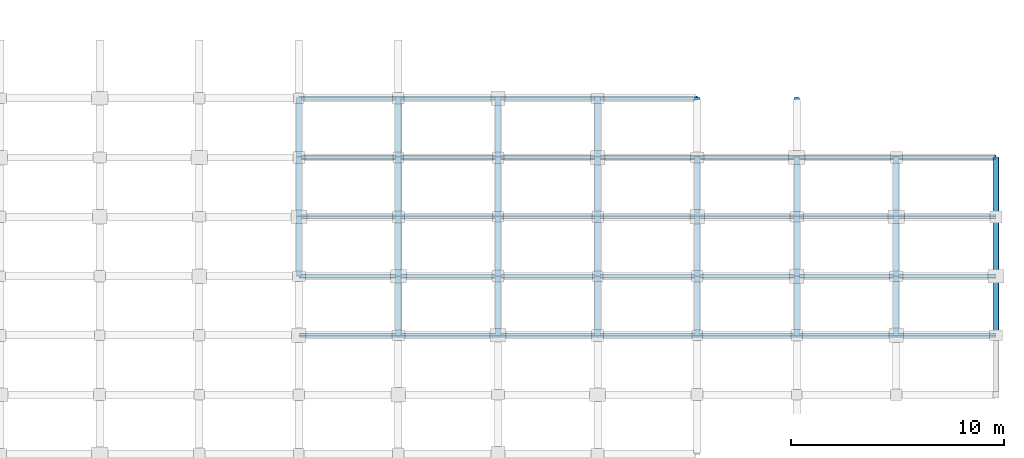
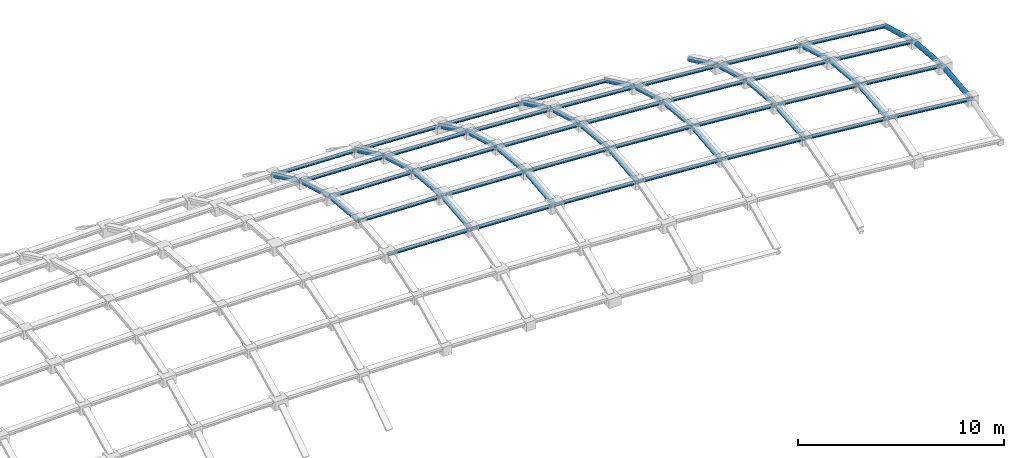
# One storey, part 19 of 36: 32 members, 29 beams.
"""IFC4 building model written with IfcOpenShell, lengths in metres."""

from ifc_helpers import new_model, si_unit, direction, frame, origin, origin_2d, place, context, subcontext, project, spatial, hollow_circle, extrude, material, material_profile, profile_set, type_object, element, save


model = new_model("IFC4")

# Units and contexts
model_context = context("Model", 3, precision=1e-05, world=origin(), true_north=direction((0.0, 1.0)))
body_context = subcontext(model_context, "Body", "Model", "MODEL_VIEW")
ifc_project = project(units=[si_unit("LENGTHUNIT", "METRE"), si_unit("AREAUNIT", "SQUARE_METRE"), si_unit("VOLUMEUNIT", "CUBIC_METRE"), si_unit("PLANEANGLEUNIT", "RADIAN"), si_unit("MASSUNIT", "GRAM", prefix="KILO")], contexts=[model_context])

# Site, building, storey
site_placement = place(None, origin())
site = spatial("IfcSite", under=ifc_project, at=site_placement, CompositionType="ELEMENT")
building_placement = place(site_placement, origin())
building = spatial("IfcBuilding", under=site, at=building_placement, Name="Quillay Park Conservatory", CompositionType="ELEMENT")
storey_placement = place(building_placement, frame((0.0, 0.0, 18.300048828125)))
storey = spatial("IfcBuildingStorey", under=building, at=storey_placement, Name="L04", CompositionType="ELEMENT", Elevation=18.300048828125)

# Beams
ifc_material_1 = material(Name="Steel S355J2H", Category="steel")
ifc_material_profile_1 = material_profile(ifc_material_1, hollow_circle(Radius=0.136474609375, WallThickness=0.012451171875, at=origin_2d()), Name="CHS273x12.5")
ifc_profile_set_1 = profile_set([ifc_material_profile_1], Name="Steel S355J2H")
beam_type = type_object("IfcBeamType", Name="GRIDSHELL ARCH BEAM CHS273", PredefinedType="USERDEFINED", material=ifc_profile_set_1)
beam_1_placement = place(storey_placement, frame((82.105712890625, 99.47509765625, 3.16357421875), z_axis=(0.0, 0.996118373088, -0.088023785401), x_axis=(-1.0, 0.0, 0.0)))
element("IfcBeam", 1, at=beam_1_placement, inside=storey, type_object=beam_type, Name="Gridshell member GS-ARCH-11-05", ObjectType="GRIDSHELL ARCH BEAM", PredefinedType="USERDEFINED", context=body_context, shape_type="SweptSolid", body=[
    extrude(hollow_circle(Radius=0.136474609375, WallThickness=0.012451171875, at=origin_2d()), origin(), (0.0, 0.0, 1.0), 2.795654296875),
])
beam_2_placement = place(storey_placement, frame((82.105712890625, 102.260009765625, 2.91748046875), z_axis=(0.0, 0.962831532331, -0.2701026478), x_axis=(-1.0, 0.0, 0.0)))
element("IfcBeam", 2, at=beam_2_placement, inside=storey, type_object=beam_type, Name="Gridshell member GS-ARCH-11-06", ObjectType="GRIDSHELL ARCH BEAM", PredefinedType="USERDEFINED", context=body_context, shape_type="SweptSolid", body=[
    extrude(hollow_circle(Radius=0.136474609375, WallThickness=0.012451171875, at=origin_2d()), origin(), (0.0, 0.0, 1.0), 2.892333984375),
])
beam_3_placement = place(storey_placement, frame((82.105712890625, 105.044921875, 2.13623046875), z_axis=(0.0, 0.903117900184, -0.429392662219), x_axis=(-1.0, 0.0, 0.0)))
element("IfcBeam", 3, at=beam_3_placement, inside=storey, type_object=beam_type, Name="Gridshell member GS-ARCH-11-07", ObjectType="GRIDSHELL ARCH BEAM", PredefinedType="USERDEFINED", context=body_context, shape_type="SweptSolid", body=[
    extrude(hollow_circle(Radius=0.136474609375, WallThickness=0.012451171875, at=origin_2d()), origin(), (0.0, 0.0, 1.0), 3.083984375),
])
beam_4_placement = place(storey_placement, frame((86.783203125, 96.68994140625, 2.72216796875), z_axis=(0.0, 0.99451309317, 0.104612176701), x_axis=(-1.0, 0.0, 0.0)))
element("IfcBeam", 4, at=beam_4_placement, inside=storey, type_object=beam_type, Name="Gridshell member GS-ARCH-12-04", ObjectType="GRIDSHELL ARCH BEAM", PredefinedType="USERDEFINED", context=body_context, shape_type="SweptSolid", body=[
    extrude(hollow_circle(Radius=0.136474609375, WallThickness=0.012451171875, at=origin_2d()), origin(), (0.0, 0.0, 1.0), 2.800537109375),
])
beam_5_placement = place(storey_placement, frame((86.783203125, 99.47509765625, 3.01513671875), z_axis=(0.0, 0.996118373088, -0.088023785401), x_axis=(-1.0, 0.0, 0.0)))
element("IfcBeam", 5, at=beam_5_placement, inside=storey, type_object=beam_type, Name="Gridshell member GS-ARCH-12-05", ObjectType="GRIDSHELL ARCH BEAM", PredefinedType="USERDEFINED", context=body_context, shape_type="SweptSolid", body=[
    extrude(hollow_circle(Radius=0.136474609375, WallThickness=0.012451171875, at=origin_2d()), origin(), (0.0, 0.0, 1.0), 2.795654296875),
])
beam_6_placement = place(storey_placement, frame((86.783203125, 102.260009765625, 2.76904296875), z_axis=(0.0, 0.962831532331, -0.2701026478), x_axis=(-1.0, 0.0, 0.0)))
element("IfcBeam", 6, at=beam_6_placement, inside=storey, type_object=beam_type, Name="Gridshell member GS-ARCH-12-06", ObjectType="GRIDSHELL ARCH BEAM", PredefinedType="USERDEFINED", context=body_context, shape_type="SweptSolid", body=[
    extrude(hollow_circle(Radius=0.136474609375, WallThickness=0.012451171875, at=origin_2d()), origin(), (0.0, 0.0, 1.0), 2.892333984375),
])
beam_7_placement = place(storey_placement, frame((86.783203125, 105.044921875, 1.98779296875), z_axis=(0.0, 0.903117900184, -0.429392662219), x_axis=(-1.0, 0.0, 0.0)))
element("IfcBeam", 7, at=beam_7_placement, inside=storey, type_object=beam_type, Name="Gridshell member GS-ARCH-12-07", ObjectType="GRIDSHELL ARCH BEAM", PredefinedType="USERDEFINED", context=body_context, shape_type="SweptSolid", body=[
    extrude(hollow_circle(Radius=0.136474609375, WallThickness=0.012451171875, at=origin_2d()), origin(), (0.0, 0.0, 1.0), 3.083984375),
])
beam_8_placement = place(storey_placement, frame((91.461181640625, 96.68994140625, 2.51904296875), z_axis=(0.0, 0.99451309317, 0.104612176701), x_axis=(-1.0, 0.0, 0.0)))
element("IfcBeam", 8, at=beam_8_placement, inside=storey, type_object=beam_type, Name="Gridshell member GS-ARCH-13-04", ObjectType="GRIDSHELL ARCH BEAM", PredefinedType="USERDEFINED", context=body_context, shape_type="SweptSolid", body=[
    extrude(hollow_circle(Radius=0.136474609375, WallThickness=0.012451171875, at=origin_2d()), origin(), (0.0, 0.0, 1.0), 2.800537109375),
])
beam_9_placement = place(storey_placement, frame((91.461181640625, 99.47509765625, 2.81201171875), z_axis=(0.0, 0.996118373088, -0.088023785401), x_axis=(-1.0, 0.0, 0.0)))
element("IfcBeam", 9, at=beam_9_placement, inside=storey, type_object=beam_type, Name="Gridshell member GS-ARCH-13-05", ObjectType="GRIDSHELL ARCH BEAM", PredefinedType="USERDEFINED", context=body_context, shape_type="SweptSolid", body=[
    extrude(hollow_circle(Radius=0.136474609375, WallThickness=0.012451171875, at=origin_2d()), origin(), (0.0, 0.0, 1.0), 2.795654296875),
])
beam_10_placement = place(storey_placement, frame((91.461181640625, 102.260009765625, 2.56591796875), z_axis=(0.0, 0.962831532331, -0.2701026478), x_axis=(-1.0, 0.0, 0.0)))
element("IfcBeam", 10, at=beam_10_placement, inside=storey, type_object=beam_type, Name="Gridshell member GS-ARCH-13-06", ObjectType="GRIDSHELL ARCH BEAM", PredefinedType="USERDEFINED", context=body_context, shape_type="SweptSolid", body=[
    extrude(hollow_circle(Radius=0.136474609375, WallThickness=0.012451171875, at=origin_2d()), origin(), (0.0, 0.0, 1.0), 2.892333984375),
])
beam_11_placement = place(storey_placement, frame((91.461181640625, 105.044921875, 1.78466796875), z_axis=(0.0, 0.903117900184, -0.429392662219), x_axis=(-1.0, 0.0, 0.0)))
element("IfcBeam", 11, at=beam_11_placement, inside=storey, type_object=beam_type, Name="Gridshell member GS-ARCH-13-07", ObjectType="GRIDSHELL ARCH BEAM", PredefinedType="USERDEFINED", context=body_context, shape_type="SweptSolid", body=[
    extrude(hollow_circle(Radius=0.136474609375, WallThickness=0.012451171875, at=origin_2d()), origin(), (0.0, 0.0, 1.0), 3.083984375),
])
beam_12_placement = place(storey_placement, frame((96.138916015625, 96.68994140625, 2.25732421875), z_axis=(0.0, 0.99451309317, 0.104612176701), x_axis=(-1.0, 0.0, 0.0)))
element("IfcBeam", 12, at=beam_12_placement, inside=storey, type_object=beam_type, Name="Gridshell member GS-ARCH-14-04", ObjectType="GRIDSHELL ARCH BEAM", PredefinedType="USERDEFINED", context=body_context, shape_type="SweptSolid", body=[
    extrude(hollow_circle(Radius=0.136474609375, WallThickness=0.012451171875, at=origin_2d()), origin(), (0.0, 0.0, 1.0), 2.800537109375),
])
beam_13_placement = place(storey_placement, frame((96.138916015625, 99.47509765625, 2.55029296875), z_axis=(0.0, 0.996118373088, -0.088023785401), x_axis=(-1.0, 0.0, 0.0)))
element("IfcBeam", 13, at=beam_13_placement, inside=storey, type_object=beam_type, Name="Gridshell member GS-ARCH-14-05", ObjectType="GRIDSHELL ARCH BEAM", PredefinedType="USERDEFINED", context=body_context, shape_type="SweptSolid", body=[
    extrude(hollow_circle(Radius=0.136474609375, WallThickness=0.012451171875, at=origin_2d()), origin(), (0.0, 0.0, 1.0), 2.795654296875),
])
beam_14_placement = place(storey_placement, frame((96.138916015625, 102.260009765625, 2.30419921875), z_axis=(0.0, 0.962831532331, -0.2701026478), x_axis=(-1.0, 0.0, 0.0)))
element("IfcBeam", 14, at=beam_14_placement, inside=storey, type_object=beam_type, Name="Gridshell member GS-ARCH-14-06", ObjectType="GRIDSHELL ARCH BEAM", PredefinedType="USERDEFINED", context=body_context, shape_type="SweptSolid", body=[
    extrude(hollow_circle(Radius=0.136474609375, WallThickness=0.012451171875, at=origin_2d()), origin(), (0.0, 0.0, 1.0), 2.892333984375),
])
beam_15_placement = place(storey_placement, frame((96.138916015625, 105.044921875, 1.52294921875), z_axis=(0.0, 0.903117900184, -0.429392662219), x_axis=(-1.0, 0.0, 0.0)))
element("IfcBeam", 15, at=beam_15_placement, inside=storey, type_object=beam_type, Name="Gridshell member GS-ARCH-14-07", ObjectType="GRIDSHELL ARCH BEAM", PredefinedType="USERDEFINED", context=body_context, shape_type="SweptSolid", body=[
    extrude(hollow_circle(Radius=0.136474609375, WallThickness=0.012451171875, at=origin_2d()), origin(), (0.0, 0.0, 1.0), 3.083984375),
])
beam_16_placement = place(storey_placement, frame((100.816650390625, 96.68994140625, 1.93701171875), z_axis=(0.0, 0.99451309317, 0.104612176701), x_axis=(-1.0, 0.0, 0.0)))
element("IfcBeam", 16, at=beam_16_placement, inside=storey, type_object=beam_type, Name="Gridshell member GS-ARCH-15-04", ObjectType="GRIDSHELL ARCH BEAM", PredefinedType="USERDEFINED", context=body_context, shape_type="SweptSolid", body=[
    extrude(hollow_circle(Radius=0.136474609375, WallThickness=0.012451171875, at=origin_2d()), origin(), (0.0, 0.0, 1.0), 2.800537109375),
])
beam_17_placement = place(storey_placement, frame((100.816650390625, 99.47509765625, 2.22998046875), z_axis=(0.0, 0.996118373088, -0.088023785401), x_axis=(-1.0, 0.0, 0.0)))
element("IfcBeam", 17, at=beam_17_placement, inside=storey, type_object=beam_type, Name="Gridshell member GS-ARCH-15-05", ObjectType="GRIDSHELL ARCH BEAM", PredefinedType="USERDEFINED", context=body_context, shape_type="SweptSolid", body=[
    extrude(hollow_circle(Radius=0.136474609375, WallThickness=0.012451171875, at=origin_2d()), origin(), (0.0, 0.0, 1.0), 2.795654296875),
])
beam_18_placement = place(storey_placement, frame((100.816650390625, 102.260009765625, 1.98388671875), z_axis=(0.0, 0.962831532331, -0.2701026478), x_axis=(-1.0, 0.0, 0.0)))
element("IfcBeam", 18, at=beam_18_placement, inside=storey, type_object=beam_type, Name="Gridshell member GS-ARCH-15-06", ObjectType="GRIDSHELL ARCH BEAM", PredefinedType="USERDEFINED", context=body_context, shape_type="SweptSolid", body=[
    extrude(hollow_circle(Radius=0.136474609375, WallThickness=0.012451171875, at=origin_2d()), origin(), (0.0, 0.0, 1.0), 2.892333984375),
])
beam_19_placement = place(storey_placement, frame((100.816650390625, 105.044921875, 1.20263671875), z_axis=(0.0, 0.903117900184, -0.429392662219), x_axis=(-1.0, 0.0, 0.0)))
element("IfcBeam", 19, at=beam_19_placement, inside=storey, type_object=beam_type, Name="Gridshell member GS-ARCH-15-07", ObjectType="GRIDSHELL ARCH BEAM", PredefinedType="USERDEFINED", context=body_context, shape_type="SweptSolid", body=[
    extrude(hollow_circle(Radius=0.136474609375, WallThickness=0.012451171875, at=origin_2d()), origin(), (0.0, 0.0, 1.0), 3.083984375),
])
beam_20_placement = place(storey_placement, frame((105.494384765625, 96.68994140625, 1.55810546875), z_axis=(0.0, 0.99451309317, 0.104612176701), x_axis=(-1.0, 0.0, 0.0)))
element("IfcBeam", 20, at=beam_20_placement, inside=storey, type_object=beam_type, Name="Gridshell member GS-ARCH-16-04", ObjectType="GRIDSHELL ARCH BEAM", PredefinedType="USERDEFINED", context=body_context, shape_type="SweptSolid", body=[
    extrude(hollow_circle(Radius=0.136474609375, WallThickness=0.012451171875, at=origin_2d()), origin(), (0.0, 0.0, 1.0), 2.800537109375),
])
beam_21_placement = place(storey_placement, frame((105.494384765625, 99.47509765625, 1.85107421875), z_axis=(0.0, 0.996118373088, -0.088023785401), x_axis=(-1.0, 0.0, 0.0)))
element("IfcBeam", 21, at=beam_21_placement, inside=storey, type_object=beam_type, Name="Gridshell member GS-ARCH-16-05", ObjectType="GRIDSHELL ARCH BEAM", PredefinedType="USERDEFINED", context=body_context, shape_type="SweptSolid", body=[
    extrude(hollow_circle(Radius=0.136474609375, WallThickness=0.012451171875, at=origin_2d()), origin(), (0.0, 0.0, 1.0), 2.795654296875),
])
beam_22_placement = place(storey_placement, frame((105.494384765625, 102.260009765625, 1.60498046875), z_axis=(0.0, 0.962831532331, -0.2701026478), x_axis=(-1.0, 0.0, 0.0)))
element("IfcBeam", 22, at=beam_22_placement, inside=storey, type_object=beam_type, Name="Gridshell member GS-ARCH-16-06", ObjectType="GRIDSHELL ARCH BEAM", PredefinedType="USERDEFINED", context=body_context, shape_type="SweptSolid", body=[
    extrude(hollow_circle(Radius=0.136474609375, WallThickness=0.012451171875, at=origin_2d()), origin(), (0.0, 0.0, 1.0), 2.892333984375),
])
beam_23_placement = place(storey_placement, frame((105.494384765625, 105.044921875, 0.82373046875), z_axis=(0.0, 0.903117900184, -0.429392662219), x_axis=(-1.0, 0.0, 0.0)))
element("IfcBeam", 23, at=beam_23_placement, inside=storey, type_object=beam_type, Name="Gridshell member GS-ARCH-16-07", ObjectType="GRIDSHELL ARCH BEAM", PredefinedType="USERDEFINED", context=body_context, shape_type="SweptSolid", body=[
    extrude(hollow_circle(Radius=0.136474609375, WallThickness=0.012451171875, at=origin_2d()), origin(), (0.0, 0.0, 1.0), 3.083984375),
])
beam_24_placement = place(storey_placement, frame((110.172119140625, 96.68994140625, 1.12060546875), z_axis=(0.0, 0.99451309317, 0.104612176701), x_axis=(-1.0, 0.0, 0.0)))
element("IfcBeam", 24, at=beam_24_placement, inside=storey, type_object=beam_type, Name="Gridshell member GS-ARCH-17-04", ObjectType="GRIDSHELL ARCH BEAM", PredefinedType="USERDEFINED", context=body_context, shape_type="SweptSolid", body=[
    extrude(hollow_circle(Radius=0.136474609375, WallThickness=0.012451171875, at=origin_2d()), origin(), (0.0, 0.0, 1.0), 2.800537109375),
])
beam_25_placement = place(storey_placement, frame((110.172119140625, 99.47509765625, 1.41357421875), z_axis=(0.0, 0.996118373088, -0.088023785401), x_axis=(-1.0, 0.0, 0.0)))
element("IfcBeam", 25, at=beam_25_placement, inside=storey, type_object=beam_type, Name="Gridshell member GS-ARCH-17-05", ObjectType="GRIDSHELL ARCH BEAM", PredefinedType="USERDEFINED", context=body_context, shape_type="SweptSolid", body=[
    extrude(hollow_circle(Radius=0.136474609375, WallThickness=0.012451171875, at=origin_2d()), origin(), (0.0, 0.0, 1.0), 2.795654296875),
])
beam_26_placement = place(storey_placement, frame((110.172119140625, 102.260009765625, 1.16748046875), z_axis=(0.0, 0.962831532331, -0.2701026478), x_axis=(-1.0, 0.0, 0.0)))
element("IfcBeam", 26, at=beam_26_placement, inside=storey, type_object=beam_type, Name="Gridshell member GS-ARCH-17-06", ObjectType="GRIDSHELL ARCH BEAM", PredefinedType="USERDEFINED", context=body_context, shape_type="SweptSolid", body=[
    extrude(hollow_circle(Radius=0.136474609375, WallThickness=0.012451171875, at=origin_2d()), origin(), (0.0, 0.0, 1.0), 2.892333984375),
])
beam_27_placement = place(storey_placement, frame((114.85009765625, 96.68994140625, 0.62451171875), z_axis=(0.0, 0.99451309317, 0.104612176701), x_axis=(-1.0, 0.0, 0.0)))
element("IfcBeam", 27, at=beam_27_placement, inside=storey, type_object=beam_type, Name="Gridshell member GS-ARCH-18-04", ObjectType="GRIDSHELL ARCH BEAM", PredefinedType="USERDEFINED", context=body_context, shape_type="SweptSolid", body=[
    extrude(hollow_circle(Radius=0.136474609375, WallThickness=0.012451171875, at=origin_2d()), origin(), (0.0, 0.0, 1.0), 2.800537109375),
])
beam_28_placement = place(storey_placement, frame((114.85009765625, 99.47509765625, 0.91748046875), z_axis=(0.0, 0.996118373088, -0.088023785401), x_axis=(-1.0, 0.0, 0.0)))
element("IfcBeam", 28, at=beam_28_placement, inside=storey, type_object=beam_type, Name="Gridshell member GS-ARCH-18-05", ObjectType="GRIDSHELL ARCH BEAM", PredefinedType="USERDEFINED", context=body_context, shape_type="SweptSolid", body=[
    extrude(hollow_circle(Radius=0.136474609375, WallThickness=0.012451171875, at=origin_2d()), origin(), (0.0, 0.0, 1.0), 2.795654296875),
])
beam_29_placement = place(storey_placement, frame((114.85009765625, 102.260009765625, 0.67138671875), z_axis=(0.0, 0.962831532331, -0.2701026478), x_axis=(-1.0, 0.0, 0.0)))
element("IfcBeam", 29, at=beam_29_placement, inside=storey, type_object=beam_type, Name="Gridshell member GS-ARCH-18-06", ObjectType="GRIDSHELL ARCH BEAM", PredefinedType="USERDEFINED", context=body_context, shape_type="SweptSolid", body=[
    extrude(hollow_circle(Radius=0.136474609375, WallThickness=0.012451171875, at=origin_2d()), origin(), (0.0, 0.0, 1.0), 2.892333984375),
])

# Members
ifc_material_2 = material(Name="Steel S355J2H", Category="steel")
ifc_material_profile_2 = material_profile(ifc_material_2, hollow_circle(Radius=0.109619140625, WallThickness=0.010009765625, at=origin_2d()), Name="CHS219.1x10")
ifc_profile_set_2 = profile_set([ifc_material_profile_2], Name="Steel S355J2H")
member_type = type_object("IfcMemberType", Name="GRIDSHELL ARCH RIB CHS219", PredefinedType="USERDEFINED", material=ifc_profile_set_2)
member_1_placement = place(storey_placement, frame((82.105712890625, 96.68994140625, 2.87060546875), z_axis=(0.99949684289, 0.0, -0.031718465498), x_axis=(0.0, 1.0, 0.0)))
element("IfcMember", 30, at=member_1_placement, inside=storey, type_object=member_type, Name="Gridshell member GS-RIB-11-04", ObjectType="GRIDSHELL ARCH RIB", PredefinedType="USERDEFINED", context=body_context, shape_type="SweptSolid", body=[
    extrude(hollow_circle(Radius=0.109619140625, WallThickness=0.010009765625, at=origin_2d()), origin(), (0.0, 0.0, 1.0), 4.679931640625),
])
member_2_placement = place(storey_placement, frame((86.783203125, 96.68994140625, 2.72216796875), z_axis=(0.999058616198, 0.0, -0.043380656995), x_axis=(0.0, 1.0, 0.0)))
element("IfcMember", 31, at=member_2_placement, inside=storey, type_object=member_type, Name="Gridshell member GS-RIB-12-04", ObjectType="GRIDSHELL ARCH RIB", PredefinedType="USERDEFINED", context=body_context, shape_type="SweptSolid", body=[
    extrude(hollow_circle(Radius=0.109619140625, WallThickness=0.010009765625, at=origin_2d()), origin(), (0.0, 0.0, 1.0), 4.682373046875),
])
member_3_placement = place(storey_placement, frame((91.461181640625, 96.68994140625, 2.51904296875), z_axis=(0.998438469785, 0.0, -0.055862528163), x_axis=(0.0, 1.0, 0.0)))
element("IfcMember", 32, at=member_3_placement, inside=storey, type_object=member_type, Name="Gridshell member GS-RIB-13-04", ObjectType="GRIDSHELL ARCH RIB", PredefinedType="USERDEFINED", context=body_context, shape_type="SweptSolid", body=[
    extrude(hollow_circle(Radius=0.109619140625, WallThickness=0.010009765625, at=origin_2d()), origin(), (0.0, 0.0, 1.0), 4.68505859375),
])
member_4_placement = place(storey_placement, frame((96.138916015625, 96.68994140625, 2.25732421875), z_axis=(0.997663732084, 0.0, -0.068316013387), x_axis=(0.0, 1.0, 0.0)))
element("IfcMember", 33, at=member_4_placement, inside=storey, type_object=member_type, Name="Gridshell member GS-RIB-14-04", ObjectType="GRIDSHELL ARCH RIB", PredefinedType="USERDEFINED", context=body_context, shape_type="SweptSolid", body=[
    extrude(hollow_circle(Radius=0.109619140625, WallThickness=0.010009765625, at=origin_2d()), origin(), (0.0, 0.0, 1.0), 4.688720703125),
])
member_5_placement = place(storey_placement, frame((100.816650390625, 96.68994140625, 1.93701171875), z_axis=(0.996735387311, 0.0, -0.080737647239), x_axis=(0.0, 1.0, 0.0)))
element("IfcMember", 34, at=member_5_placement, inside=storey, type_object=member_type, Name="Gridshell member GS-RIB-15-04", ObjectType="GRIDSHELL ARCH RIB", PredefinedType="USERDEFINED", context=body_context, shape_type="SweptSolid", body=[
    extrude(hollow_circle(Radius=0.109619140625, WallThickness=0.010009765625, at=origin_2d()), origin(), (0.0, 0.0, 1.0), 4.693115234375),
])
member_6_placement = place(storey_placement, frame((105.494384765625, 96.68994140625, 1.55810546875), z_axis=(0.995654726514, 0.0, -0.093121778179), x_axis=(0.0, 1.0, 0.0)))
element("IfcMember", 35, at=member_6_placement, inside=storey, type_object=member_type, Name="Gridshell member GS-RIB-16-04", ObjectType="GRIDSHELL ARCH RIB", PredefinedType="USERDEFINED", context=body_context, shape_type="SweptSolid", body=[
    extrude(hollow_circle(Radius=0.109619140625, WallThickness=0.010009765625, at=origin_2d()), origin(), (0.0, 0.0, 1.0), 4.6982421875),
])
member_7_placement = place(storey_placement, frame((110.172119140625, 96.68994140625, 1.12060546875), z_axis=(0.994423821707, 0.0, -0.105457398137), x_axis=(0.0, 1.0, 0.0)))
element("IfcMember", 36, at=member_7_placement, inside=storey, type_object=member_type, Name="Gridshell member GS-RIB-17-04", ObjectType="GRIDSHELL ARCH RIB", PredefinedType="USERDEFINED", context=body_context, shape_type="SweptSolid", body=[
    extrude(hollow_circle(Radius=0.109619140625, WallThickness=0.010009765625, at=origin_2d()), origin(), (0.0, 0.0, 1.0), 4.7041015625),
])
member_8_placement = place(storey_placement, frame((82.105712890625, 99.47509765625, 3.16357421875), z_axis=(0.99949684289, 0.0, -0.031718465498), x_axis=(0.0, 1.0, 0.0)))
element("IfcMember", 37, at=member_8_placement, inside=storey, type_object=member_type, Name="Gridshell member GS-RIB-11-05", ObjectType="GRIDSHELL ARCH RIB", PredefinedType="USERDEFINED", context=body_context, shape_type="SweptSolid", body=[
    extrude(hollow_circle(Radius=0.109619140625, WallThickness=0.010009765625, at=origin_2d()), origin(), (0.0, 0.0, 1.0), 4.679931640625),
])
member_9_placement = place(storey_placement, frame((86.783203125, 99.47509765625, 3.01513671875), z_axis=(0.999058616198, 0.0, -0.043380656995), x_axis=(0.0, 1.0, 0.0)))
element("IfcMember", 38, at=member_9_placement, inside=storey, type_object=member_type, Name="Gridshell member GS-RIB-12-05", ObjectType="GRIDSHELL ARCH RIB", PredefinedType="USERDEFINED", context=body_context, shape_type="SweptSolid", body=[
    extrude(hollow_circle(Radius=0.109619140625, WallThickness=0.010009765625, at=origin_2d()), origin(), (0.0, 0.0, 1.0), 4.682373046875),
])
member_10_placement = place(storey_placement, frame((91.461181640625, 99.47509765625, 2.81201171875), z_axis=(0.998438469785, 0.0, -0.055862528163), x_axis=(0.0, 1.0, 0.0)))
element("IfcMember", 39, at=member_10_placement, inside=storey, type_object=member_type, Name="Gridshell member GS-RIB-13-05", ObjectType="GRIDSHELL ARCH RIB", PredefinedType="USERDEFINED", context=body_context, shape_type="SweptSolid", body=[
    extrude(hollow_circle(Radius=0.109619140625, WallThickness=0.010009765625, at=origin_2d()), origin(), (0.0, 0.0, 1.0), 4.68505859375),
])
member_11_placement = place(storey_placement, frame((96.138916015625, 99.47509765625, 2.55029296875), z_axis=(0.997663732084, 0.0, -0.068316013387), x_axis=(0.0, 1.0, 0.0)))
element("IfcMember", 40, at=member_11_placement, inside=storey, type_object=member_type, Name="Gridshell member GS-RIB-14-05", ObjectType="GRIDSHELL ARCH RIB", PredefinedType="USERDEFINED", context=body_context, shape_type="SweptSolid", body=[
    extrude(hollow_circle(Radius=0.109619140625, WallThickness=0.010009765625, at=origin_2d()), origin(), (0.0, 0.0, 1.0), 4.688720703125),
])
member_12_placement = place(storey_placement, frame((100.816650390625, 99.47509765625, 2.22998046875), z_axis=(0.996735387311, 0.0, -0.080737647239), x_axis=(0.0, 1.0, 0.0)))
element("IfcMember", 41, at=member_12_placement, inside=storey, type_object=member_type, Name="Gridshell member GS-RIB-15-05", ObjectType="GRIDSHELL ARCH RIB", PredefinedType="USERDEFINED", context=body_context, shape_type="SweptSolid", body=[
    extrude(hollow_circle(Radius=0.109619140625, WallThickness=0.010009765625, at=origin_2d()), origin(), (0.0, 0.0, 1.0), 4.693115234375),
])
member_13_placement = place(storey_placement, frame((105.494384765625, 99.47509765625, 1.85107421875), z_axis=(0.995654726514, 0.0, -0.093121778179), x_axis=(0.0, 1.0, 0.0)))
element("IfcMember", 42, at=member_13_placement, inside=storey, type_object=member_type, Name="Gridshell member GS-RIB-16-05", ObjectType="GRIDSHELL ARCH RIB", PredefinedType="USERDEFINED", context=body_context, shape_type="SweptSolid", body=[
    extrude(hollow_circle(Radius=0.109619140625, WallThickness=0.010009765625, at=origin_2d()), origin(), (0.0, 0.0, 1.0), 4.6982421875),
])
member_14_placement = place(storey_placement, frame((110.172119140625, 99.47509765625, 1.41357421875), z_axis=(0.994423821707, 0.0, -0.105457398137), x_axis=(0.0, 1.0, 0.0)))
element("IfcMember", 43, at=member_14_placement, inside=storey, type_object=member_type, Name="Gridshell member GS-RIB-17-05", ObjectType="GRIDSHELL ARCH RIB", PredefinedType="USERDEFINED", context=body_context, shape_type="SweptSolid", body=[
    extrude(hollow_circle(Radius=0.109619140625, WallThickness=0.010009765625, at=origin_2d()), origin(), (0.0, 0.0, 1.0), 4.7041015625),
])
member_15_placement = place(storey_placement, frame((82.105712890625, 102.260009765625, 2.91748046875), z_axis=(0.99949684289, 0.0, -0.031718465498), x_axis=(0.0, 1.0, 0.0)))
element("IfcMember", 44, at=member_15_placement, inside=storey, type_object=member_type, Name="Gridshell member GS-RIB-11-06", ObjectType="GRIDSHELL ARCH RIB", PredefinedType="USERDEFINED", context=body_context, shape_type="SweptSolid", body=[
    extrude(hollow_circle(Radius=0.109619140625, WallThickness=0.010009765625, at=origin_2d()), origin(), (0.0, 0.0, 1.0), 4.679931640625),
])
member_16_placement = place(storey_placement, frame((86.783203125, 102.260009765625, 2.76904296875), z_axis=(0.999058616198, 0.0, -0.043380656995), x_axis=(0.0, 1.0, 0.0)))
element("IfcMember", 45, at=member_16_placement, inside=storey, type_object=member_type, Name="Gridshell member GS-RIB-12-06", ObjectType="GRIDSHELL ARCH RIB", PredefinedType="USERDEFINED", context=body_context, shape_type="SweptSolid", body=[
    extrude(hollow_circle(Radius=0.109619140625, WallThickness=0.010009765625, at=origin_2d()), origin(), (0.0, 0.0, 1.0), 4.682373046875),
])
member_17_placement = place(storey_placement, frame((91.461181640625, 102.260009765625, 2.56591796875), z_axis=(0.998438469785, 0.0, -0.055862528163), x_axis=(0.0, 1.0, 0.0)))
element("IfcMember", 46, at=member_17_placement, inside=storey, type_object=member_type, Name="Gridshell member GS-RIB-13-06", ObjectType="GRIDSHELL ARCH RIB", PredefinedType="USERDEFINED", context=body_context, shape_type="SweptSolid", body=[
    extrude(hollow_circle(Radius=0.109619140625, WallThickness=0.010009765625, at=origin_2d()), origin(), (0.0, 0.0, 1.0), 4.68505859375),
])
member_18_placement = place(storey_placement, frame((96.138916015625, 102.260009765625, 2.30419921875), z_axis=(0.997663732084, 0.0, -0.068316013387), x_axis=(0.0, 1.0, 0.0)))
element("IfcMember", 47, at=member_18_placement, inside=storey, type_object=member_type, Name="Gridshell member GS-RIB-14-06", ObjectType="GRIDSHELL ARCH RIB", PredefinedType="USERDEFINED", context=body_context, shape_type="SweptSolid", body=[
    extrude(hollow_circle(Radius=0.109619140625, WallThickness=0.010009765625, at=origin_2d()), origin(), (0.0, 0.0, 1.0), 4.688720703125),
])
member_19_placement = place(storey_placement, frame((100.816650390625, 102.260009765625, 1.98388671875), z_axis=(0.996735387311, 0.0, -0.080737647239), x_axis=(0.0, 1.0, 0.0)))
element("IfcMember", 48, at=member_19_placement, inside=storey, type_object=member_type, Name="Gridshell member GS-RIB-15-06", ObjectType="GRIDSHELL ARCH RIB", PredefinedType="USERDEFINED", context=body_context, shape_type="SweptSolid", body=[
    extrude(hollow_circle(Radius=0.109619140625, WallThickness=0.010009765625, at=origin_2d()), origin(), (0.0, 0.0, 1.0), 4.693115234375),
])
member_20_placement = place(storey_placement, frame((105.494384765625, 102.260009765625, 1.60498046875), z_axis=(0.995654726514, 0.0, -0.093121778179), x_axis=(0.0, 1.0, 0.0)))
element("IfcMember", 49, at=member_20_placement, inside=storey, type_object=member_type, Name="Gridshell member GS-RIB-16-06", ObjectType="GRIDSHELL ARCH RIB", PredefinedType="USERDEFINED", context=body_context, shape_type="SweptSolid", body=[
    extrude(hollow_circle(Radius=0.109619140625, WallThickness=0.010009765625, at=origin_2d()), origin(), (0.0, 0.0, 1.0), 4.6982421875),
])
member_21_placement = place(storey_placement, frame((110.172119140625, 102.260009765625, 1.16748046875), z_axis=(0.994423821707, 0.0, -0.105457398137), x_axis=(0.0, 1.0, 0.0)))
element("IfcMember", 50, at=member_21_placement, inside=storey, type_object=member_type, Name="Gridshell member GS-RIB-17-06", ObjectType="GRIDSHELL ARCH RIB", PredefinedType="USERDEFINED", context=body_context, shape_type="SweptSolid", body=[
    extrude(hollow_circle(Radius=0.109619140625, WallThickness=0.010009765625, at=origin_2d()), origin(), (0.0, 0.0, 1.0), 4.7041015625),
])
member_22_placement = place(storey_placement, frame((82.105712890625, 105.044921875, 2.13623046875), z_axis=(0.99949684289, 0.0, -0.031718465498), x_axis=(0.0, 1.0, 0.0)))
element("IfcMember", 51, at=member_22_placement, inside=storey, type_object=member_type, Name="Gridshell member GS-RIB-11-07", ObjectType="GRIDSHELL ARCH RIB", PredefinedType="USERDEFINED", context=body_context, shape_type="SweptSolid", body=[
    extrude(hollow_circle(Radius=0.109619140625, WallThickness=0.010009765625, at=origin_2d()), origin(), (0.0, 0.0, 1.0), 4.679931640625),
])
member_23_placement = place(storey_placement, frame((86.783203125, 105.044921875, 1.98779296875), z_axis=(0.999058616198, 0.0, -0.043380656995), x_axis=(0.0, 1.0, 0.0)))
element("IfcMember", 52, at=member_23_placement, inside=storey, type_object=member_type, Name="Gridshell member GS-RIB-12-07", ObjectType="GRIDSHELL ARCH RIB", PredefinedType="USERDEFINED", context=body_context, shape_type="SweptSolid", body=[
    extrude(hollow_circle(Radius=0.109619140625, WallThickness=0.010009765625, at=origin_2d()), origin(), (0.0, 0.0, 1.0), 4.682373046875),
])
member_24_placement = place(storey_placement, frame((91.461181640625, 105.044921875, 1.78466796875), z_axis=(0.998438469785, 0.0, -0.055862528163), x_axis=(0.0, 1.0, 0.0)))
element("IfcMember", 53, at=member_24_placement, inside=storey, type_object=member_type, Name="Gridshell member GS-RIB-13-07", ObjectType="GRIDSHELL ARCH RIB", PredefinedType="USERDEFINED", context=body_context, shape_type="SweptSolid", body=[
    extrude(hollow_circle(Radius=0.109619140625, WallThickness=0.010009765625, at=origin_2d()), origin(), (0.0, 0.0, 1.0), 4.68505859375),
])
member_25_placement = place(storey_placement, frame((96.138916015625, 105.044921875, 1.52294921875), z_axis=(0.997663732084, 0.0, -0.068316013387), x_axis=(0.0, 1.0, 0.0)))
element("IfcMember", 54, at=member_25_placement, inside=storey, type_object=member_type, Name="Gridshell member GS-RIB-14-07", ObjectType="GRIDSHELL ARCH RIB", PredefinedType="USERDEFINED", context=body_context, shape_type="SweptSolid", body=[
    extrude(hollow_circle(Radius=0.109619140625, WallThickness=0.010009765625, at=origin_2d()), origin(), (0.0, 0.0, 1.0), 4.688720703125),
])
member_26_placement = place(storey_placement, frame((100.816650390625, 105.044921875, 1.20263671875), z_axis=(0.996735387311, 0.0, -0.080737647239), x_axis=(0.0, 1.0, 0.0)))
element("IfcMember", 55, at=member_26_placement, inside=storey, type_object=member_type, Name="Gridshell member GS-RIB-15-07", ObjectType="GRIDSHELL ARCH RIB", PredefinedType="USERDEFINED", context=body_context, shape_type="SweptSolid", body=[
    extrude(hollow_circle(Radius=0.109619140625, WallThickness=0.010009765625, at=origin_2d()), origin(), (0.0, 0.0, 1.0), 4.693115234375),
])
member_27_placement = place(storey_placement, frame((105.494384765625, 105.044921875, 0.82373046875), z_axis=(0.995654726514, 0.0, -0.093121778179), x_axis=(0.0, 1.0, 0.0)))
element("IfcMember", 56, at=member_27_placement, inside=storey, type_object=member_type, Name="Gridshell member GS-RIB-16-07", ObjectType="GRIDSHELL ARCH RIB", PredefinedType="USERDEFINED", context=body_context, shape_type="SweptSolid", body=[
    extrude(hollow_circle(Radius=0.109619140625, WallThickness=0.010009765625, at=origin_2d()), origin(), (0.0, 0.0, 1.0), 4.6982421875),
])
member_28_placement = place(storey_placement, frame((110.172119140625, 105.044921875, 0.38623046875), z_axis=(0.994423821707, 0.0, -0.105457398137), x_axis=(0.0, 1.0, 0.0)))
element("IfcMember", 57, at=member_28_placement, inside=storey, type_object=member_type, Name="Gridshell member GS-RIB-17-07", ObjectType="GRIDSHELL ARCH RIB", PredefinedType="USERDEFINED", context=body_context, shape_type="SweptSolid", body=[
    extrude(hollow_circle(Radius=0.109619140625, WallThickness=0.010009765625, at=origin_2d()), origin(), (0.0, 0.0, 1.0), 4.7041015625),
])
member_29_placement = place(storey_placement, frame((82.105712890625, 107.830078125, 0.81201171875), z_axis=(0.99949684289, 0.0, -0.031718465498), x_axis=(0.0, 1.0, 0.0)))
element("IfcMember", 58, at=member_29_placement, inside=storey, type_object=member_type, Name="Gridshell member GS-RIB-11-08", ObjectType="GRIDSHELL ARCH RIB", PredefinedType="USERDEFINED", context=body_context, shape_type="SweptSolid", body=[
    extrude(hollow_circle(Radius=0.109619140625, WallThickness=0.010009765625, at=origin_2d()), origin(), (0.0, 0.0, 1.0), 4.679931640625),
])
member_30_placement = place(storey_placement, frame((86.783203125, 107.830078125, 0.66357421875), z_axis=(0.999058616198, 0.0, -0.043380656995), x_axis=(0.0, 1.0, 0.0)))
element("IfcMember", 59, at=member_30_placement, inside=storey, type_object=member_type, Name="Gridshell member GS-RIB-12-08", ObjectType="GRIDSHELL ARCH RIB", PredefinedType="USERDEFINED", context=body_context, shape_type="SweptSolid", body=[
    extrude(hollow_circle(Radius=0.109619140625, WallThickness=0.010009765625, at=origin_2d()), origin(), (0.0, 0.0, 1.0), 4.682373046875),
])
member_31_placement = place(storey_placement, frame((91.461181640625, 107.830078125, 0.46044921875), z_axis=(0.998438469785, 0.0, -0.055862528163), x_axis=(0.0, 1.0, 0.0)))
element("IfcMember", 60, at=member_31_placement, inside=storey, type_object=member_type, Name="Gridshell member GS-RIB-13-08", ObjectType="GRIDSHELL ARCH RIB", PredefinedType="USERDEFINED", context=body_context, shape_type="SweptSolid", body=[
    extrude(hollow_circle(Radius=0.109619140625, WallThickness=0.010009765625, at=origin_2d()), origin(), (0.0, 0.0, 1.0), 4.68505859375),
])
member_32_placement = place(storey_placement, frame((96.138916015625, 107.830078125, 0.19873046875), z_axis=(0.997663732084, 0.0, -0.068316013387), x_axis=(0.0, 1.0, 0.0)))
element("IfcMember", 61, at=member_32_placement, inside=storey, type_object=member_type, Name="Gridshell member GS-RIB-14-08", ObjectType="GRIDSHELL ARCH RIB", PredefinedType="USERDEFINED", context=body_context, shape_type="SweptSolid", body=[
    extrude(hollow_circle(Radius=0.109619140625, WallThickness=0.010009765625, at=origin_2d()), origin(), (0.0, 0.0, 1.0), 4.688720703125),
])

save(model, "model.ifc")
